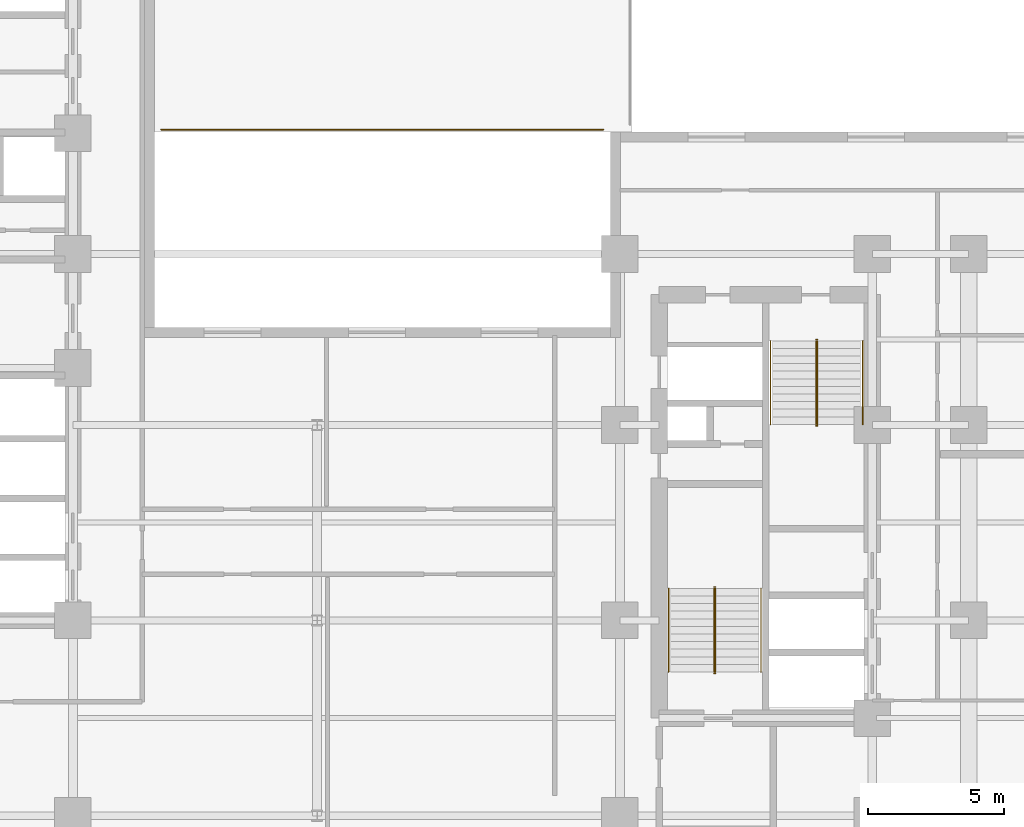
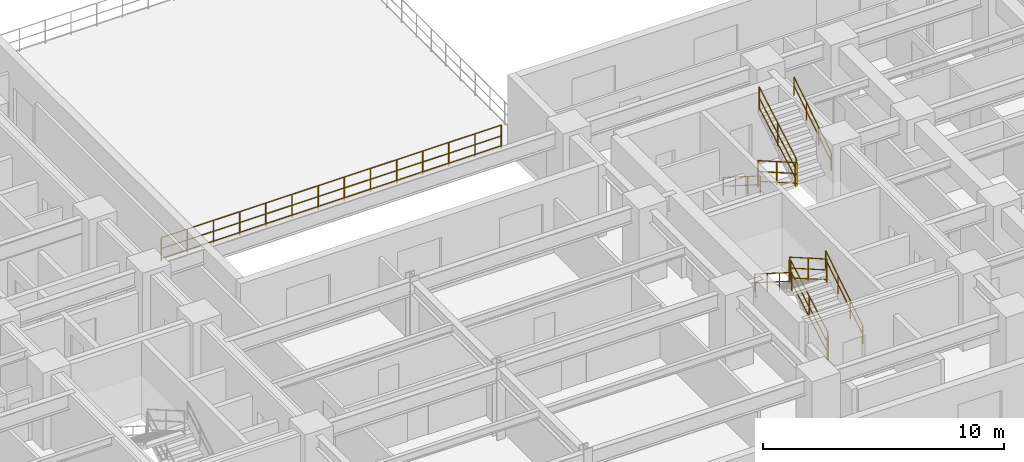
# One storey, part 8 of 10: 13 railings.
"""IFC4 building model written with IfcOpenShell, lengths in metres."""

from ifc_helpers import new_model, entity, si_unit, converted_unit, direction, frame, origin_with_axes, origin_2d_with_axis, place, context, subcontext, project, spatial, rectangle, circle, extrude, material, type_object, element, save


model = new_model("IFC4")

# Units and contexts
model_context = context("Model", 3, precision=1e-05, world=origin_with_axes(), true_north=direction((0.0, 1.0)))
body_context = subcontext(model_context, "Body", "Model", "MODEL_VIEW")
ifc_project = project(units=[si_unit("LENGTHUNIT", "METRE"), si_unit("AREAUNIT", "SQUARE_METRE"), si_unit("VOLUMEUNIT", "CUBIC_METRE"), converted_unit("PLANEANGLEUNIT", "DEGREE", entity("IfcPlaneAngleMeasure", 0.017453292519943295), si_unit("PLANEANGLEUNIT", "RADIAN"), dimensions=[0, 0, 0, 0, 0, 0, 0]), si_unit("MASSUNIT", "GRAM", prefix="KILO"), si_unit("THERMODYNAMICTEMPERATUREUNIT", "KELVIN")], contexts=[model_context])

# Site, building, storey
site_placement = place(None, origin_with_axes())
site = spatial("IfcSite", under=ifc_project, at=site_placement, CompositionType="ELEMENT")
building_placement = place(site_placement, origin_with_axes())
building = spatial("IfcBuilding", under=site, at=building_placement, Name="Varnlund Millrace Tower", CompositionType="ELEMENT")
storey_placement = place(building_placement, frame((0.0, 0.0, 28.8), z_axis=(0.0, 0.0, 1.0), x_axis=(1.0, 0.0, 0.0)))
storey = spatial("IfcBuildingStorey", under=building, at=storey_placement, Name="L06", CompositionType="ELEMENT", Elevation=28.8)

# Railings
ifc_material_1 = material(Name="Architectural bronze balustrade guard", Category="aluminium")
railing_type_1 = type_object("IfcRailingType", Name="Type-Guard-Perimeter-1150", PredefinedType="BALUSTRADE", material=ifc_material_1)
railing_1_placement = place(storey_placement, frame((0.0, 0.0, -28.8), z_axis=(0.0, 0.0, 1.0), x_axis=(1.0, 0.0, 0.0)))
element("IfcRailing", 1, at=railing_1_placement, inside=storey, type_object=railing_type_1, Name="Type-Guard-Perimeter-1150", PredefinedType="BALUSTRADE", context=body_context, shape_type="SweptSolid", body=[
    extrude(circle(Radius=0.024, at=origin_2d_with_axis()), frame((21.85, 28.88, 29.95), z_axis=(1.0, 0.0, 0.0), x_axis=(0.0, 1.0, 0.0)), (0.0, 0.0, 1.0), 16.3),
    extrude(circle(Radius=0.024, at=origin_2d_with_axis()), frame((21.85, 28.88, 28.9), z_axis=(1.0, 0.0, 0.0), x_axis=(0.0, 1.0, 0.0)), (0.0, 0.0, 1.0), 16.3),
    extrude(circle(Radius=0.024, at=origin_2d_with_axis()), frame((21.85, 28.88, 29.398), z_axis=(1.0, 0.0, 0.0), x_axis=(0.0, 1.0, 0.0)), (0.0, 0.0, 1.0), 16.3),
    extrude(rectangle(XDim=0.04, YDim=0.04, at=origin_2d_with_axis()), frame((21.85, 28.88, 28.76), z_axis=(0.0, 0.0, 1.0), x_axis=(1.0, 0.0, 0.0)), (0.0, 0.0, 1.0), 1.19),
    extrude(rectangle(XDim=0.04, YDim=0.04, at=origin_2d_with_axis()), frame((23.103846, 28.88, 28.76), z_axis=(0.0, 0.0, 1.0), x_axis=(1.0, 0.0, 0.0)), (0.0, 0.0, 1.0), 1.19),
    extrude(rectangle(XDim=0.04, YDim=0.04, at=origin_2d_with_axis()), frame((24.357692, 28.88, 28.76), z_axis=(0.0, 0.0, 1.0), x_axis=(1.0, 0.0, 0.0)), (0.0, 0.0, 1.0), 1.19),
    extrude(rectangle(XDim=0.04, YDim=0.04, at=origin_2d_with_axis()), frame((25.611538, 28.88, 28.76), z_axis=(0.0, 0.0, 1.0), x_axis=(1.0, 0.0, 0.0)), (0.0, 0.0, 1.0), 1.19),
    extrude(rectangle(XDim=0.04, YDim=0.04, at=origin_2d_with_axis()), frame((26.865385, 28.88, 28.76), z_axis=(0.0, 0.0, 1.0), x_axis=(1.0, 0.0, 0.0)), (0.0, 0.0, 1.0), 1.19),
    extrude(rectangle(XDim=0.04, YDim=0.04, at=origin_2d_with_axis()), frame((28.119231, 28.88, 28.76), z_axis=(0.0, 0.0, 1.0), x_axis=(1.0, 0.0, 0.0)), (0.0, 0.0, 1.0), 1.19),
    extrude(rectangle(XDim=0.04, YDim=0.04, at=origin_2d_with_axis()), frame((29.373077, 28.88, 28.76), z_axis=(0.0, 0.0, 1.0), x_axis=(1.0, 0.0, 0.0)), (0.0, 0.0, 1.0), 1.19),
    extrude(rectangle(XDim=0.04, YDim=0.04, at=origin_2d_with_axis()), frame((30.626923, 28.88, 28.76), z_axis=(0.0, 0.0, 1.0), x_axis=(1.0, 0.0, 0.0)), (0.0, 0.0, 1.0), 1.19),
    extrude(rectangle(XDim=0.04, YDim=0.04, at=origin_2d_with_axis()), frame((31.880769, 28.88, 28.76), z_axis=(0.0, 0.0, 1.0), x_axis=(1.0, 0.0, 0.0)), (0.0, 0.0, 1.0), 1.19),
    extrude(rectangle(XDim=0.04, YDim=0.04, at=origin_2d_with_axis()), frame((33.134615, 28.88, 28.76), z_axis=(0.0, 0.0, 1.0), x_axis=(1.0, 0.0, 0.0)), (0.0, 0.0, 1.0), 1.19),
    extrude(rectangle(XDim=0.04, YDim=0.04, at=origin_2d_with_axis()), frame((34.388462, 28.88, 28.76), z_axis=(0.0, 0.0, 1.0), x_axis=(1.0, 0.0, 0.0)), (0.0, 0.0, 1.0), 1.19),
    extrude(rectangle(XDim=0.04, YDim=0.04, at=origin_2d_with_axis()), frame((35.642308, 28.88, 28.76), z_axis=(0.0, 0.0, 1.0), x_axis=(1.0, 0.0, 0.0)), (0.0, 0.0, 1.0), 1.19),
    extrude(rectangle(XDim=0.04, YDim=0.04, at=origin_2d_with_axis()), frame((36.896154, 28.88, 28.76), z_axis=(0.0, 0.0, 1.0), x_axis=(1.0, 0.0, 0.0)), (0.0, 0.0, 1.0), 1.19),
    extrude(rectangle(XDim=0.04, YDim=0.04, at=origin_2d_with_axis()), frame((38.15, 28.88, 28.76), z_axis=(0.0, 0.0, 1.0), x_axis=(1.0, 0.0, 0.0)), (0.0, 0.0, 1.0), 1.19),
])
ifc_material_2 = material(Name="Painted steel stair well balustrade guard", Category="steel")
railing_type_2 = type_object("IfcRailingType", Name="Type-StairGuard-1150", PredefinedType="GUARDRAIL", material=ifc_material_2)
railing_2_placement = place(storey_placement, frame((0.0, 0.0, -28.8), z_axis=(0.0, 0.0, 1.0), x_axis=(1.0, 0.0, 0.0)))
element("IfcRailing", 2, at=railing_2_placement, inside=storey, type_object=railing_type_2, Name="Type-StairGuard-1150", PredefinedType="GUARDRAIL", context=body_context, shape_type="SweptSolid", body=[
    extrude(circle(Radius=0.024, at=origin_2d_with_axis()), frame((42.275, 8.9, 30.127273), z_axis=(0.0, 0.866696, 0.498836), x_axis=(-1.0, 0.0, 0.0)), (0.0, 0.0, 1.0), 3.553725),
    extrude(circle(Radius=0.024, at=origin_2d_with_axis()), frame((42.275, 8.9, 29.077273), z_axis=(0.0, 0.866696, 0.498836), x_axis=(-1.0, 0.0, 0.0)), (0.0, 0.0, 1.0), 3.553725),
    extrude(circle(Radius=0.024, at=origin_2d_with_axis()), frame((42.275, 8.9, 29.575273), z_axis=(0.0, 0.866696, 0.498836), x_axis=(-1.0, 0.0, 0.0)), (0.0, 0.0, 1.0), 3.553725),
    extrude(rectangle(XDim=0.04, YDim=0.04, at=origin_2d_with_axis()), frame((42.275, 8.9, 28.937273), z_axis=(0.0, 0.0, 1.0), x_axis=(1.0, 0.0, 0.0)), (0.0, 0.0, 1.0), 1.19),
    extrude(rectangle(XDim=0.04, YDim=0.04, at=origin_2d_with_axis()), frame((42.275, 10.44, 29.823636), z_axis=(0.0, 0.0, 1.0), x_axis=(1.0, 0.0, 0.0)), (0.0, 0.0, 1.0), 1.19),
    extrude(rectangle(XDim=0.04, YDim=0.04, at=origin_2d_with_axis()), frame((42.275, 11.98, 30.71), z_axis=(0.0, 0.0, 1.0), x_axis=(1.0, 0.0, 0.0)), (0.0, 0.0, 1.0), 1.19),
])
railing_3_placement = place(storey_placement, frame((0.0, 0.0, -28.8), z_axis=(0.0, 0.0, 1.0), x_axis=(1.0, 0.0, 0.0)))
element("IfcRailing", 3, at=railing_3_placement, inside=storey, type_object=railing_type_2, Name="Type-StairGuard-1150", PredefinedType="GUARDRAIL", context=body_context, shape_type="SweptSolid", body=[
    extrude(circle(Radius=0.024, at=origin_2d_with_axis()), frame((42.225, 12.03, 31.9), z_axis=(1.0, 0.0, 0.0), x_axis=(0.0, 1.0, 0.0)), (0.0, 0.0, 1.0), 0.05),
    extrude(circle(Radius=0.024, at=origin_2d_with_axis()), frame((42.225, 12.03, 30.85), z_axis=(1.0, 0.0, 0.0), x_axis=(0.0, 1.0, 0.0)), (0.0, 0.0, 1.0), 0.05),
    extrude(circle(Radius=0.024, at=origin_2d_with_axis()), frame((42.225, 12.03, 31.348), z_axis=(1.0, 0.0, 0.0), x_axis=(0.0, 1.0, 0.0)), (0.0, 0.0, 1.0), 0.05),
    extrude(rectangle(XDim=0.04, YDim=0.04, at=origin_2d_with_axis()), frame((42.225, 12.03, 30.71), z_axis=(0.0, 0.0, 1.0), x_axis=(1.0, 0.0, 0.0)), (0.0, 0.0, 1.0), 1.19),
    extrude(rectangle(XDim=0.04, YDim=0.04, at=origin_2d_with_axis()), frame((42.275, 12.03, 30.71), z_axis=(0.0, 0.0, 1.0), x_axis=(1.0, 0.0, 0.0)), (0.0, 0.0, 1.0), 1.19),
])
railing_4_placement = place(storey_placement, frame((0.0, 0.0, -28.8), z_axis=(0.0, 0.0, 1.0), x_axis=(1.0, 0.0, 0.0)))
element("IfcRailing", 4, at=railing_4_placement, inside=storey, type_object=railing_type_2, Name="Type-StairGuard-1150", PredefinedType="GUARDRAIL", context=body_context, shape_type="SweptSolid", body=[
    extrude(circle(Radius=0.024, at=origin_2d_with_axis()), frame((42.225, 11.98, 32.077273), z_axis=(0.0, -0.866696, 0.498836), x_axis=(1.0, 0.0, 0.0)), (0.0, 0.0, 1.0), 3.553725),
    extrude(circle(Radius=0.024, at=origin_2d_with_axis()), frame((42.225, 11.98, 31.027273), z_axis=(0.0, -0.866696, 0.498836), x_axis=(1.0, 0.0, 0.0)), (0.0, 0.0, 1.0), 3.553725),
    extrude(circle(Radius=0.024, at=origin_2d_with_axis()), frame((42.225, 11.98, 31.525273), z_axis=(0.0, -0.866696, 0.498836), x_axis=(1.0, 0.0, 0.0)), (0.0, 0.0, 1.0), 3.553725),
    extrude(rectangle(XDim=0.04, YDim=0.04, at=origin_2d_with_axis()), frame((42.225, 11.98, 30.887273), z_axis=(0.0, 0.0, 1.0), x_axis=(1.0, 0.0, 0.0)), (0.0, 0.0, 1.0), 1.19),
    extrude(rectangle(XDim=0.04, YDim=0.04, at=origin_2d_with_axis()), frame((42.225, 10.44, 31.773637), z_axis=(0.0, 0.0, 1.0), x_axis=(1.0, 0.0, 0.0)), (0.0, 0.0, 1.0), 1.19),
    extrude(rectangle(XDim=0.04, YDim=0.04, at=origin_2d_with_axis()), frame((42.225, 8.9, 32.66), z_axis=(0.0, 0.0, 1.0), x_axis=(1.0, 0.0, 0.0)), (0.0, 0.0, 1.0), 1.19),
])
railing_5_placement = place(storey_placement, frame((0.0, 0.0, -28.8), z_axis=(0.0, 0.0, 1.0), x_axis=(1.0, 0.0, 0.0)))
element("IfcRailing", 5, at=railing_5_placement, inside=storey, type_object=railing_type_2, Name="Type-StairGuard-1150", PredefinedType="GUARDRAIL", context=body_context, shape_type="SweptSolid", body=[
    extrude(circle(Radius=0.024, at=origin_2d_with_axis()), frame((42.225, 8.85, 29.95), z_axis=(1.0, 0.0, 0.0), x_axis=(0.0, 1.0, 0.0)), (0.0, 0.0, 1.0), 0.05),
    extrude(circle(Radius=0.024, at=origin_2d_with_axis()), frame((42.225, 8.85, 28.9), z_axis=(1.0, 0.0, 0.0), x_axis=(0.0, 1.0, 0.0)), (0.0, 0.0, 1.0), 0.05),
    extrude(circle(Radius=0.024, at=origin_2d_with_axis()), frame((42.225, 8.85, 29.398), z_axis=(1.0, 0.0, 0.0), x_axis=(0.0, 1.0, 0.0)), (0.0, 0.0, 1.0), 0.05),
    extrude(rectangle(XDim=0.04, YDim=0.04, at=origin_2d_with_axis()), frame((42.225, 8.85, 28.76), z_axis=(0.0, 0.0, 1.0), x_axis=(1.0, 0.0, 0.0)), (0.0, 0.0, 1.0), 1.19),
    extrude(rectangle(XDim=0.04, YDim=0.04, at=origin_2d_with_axis()), frame((42.275, 8.85, 28.76), z_axis=(0.0, 0.0, 1.0), x_axis=(1.0, 0.0, 0.0)), (0.0, 0.0, 1.0), 1.19),
])
railing_6_placement = place(storey_placement, frame((0.0, 0.0, -28.8), z_axis=(0.0, 0.0, 1.0), x_axis=(1.0, 0.0, 0.0)))
element("IfcRailing", 6, at=railing_6_placement, inside=storey, type_object=railing_type_2, Name="Type-StairGuard-1150", PredefinedType="GUARDRAIL", context=body_context, shape_type="SweptSolid", body=[
    extrude(circle(Radius=0.024, at=origin_2d_with_axis()), frame((45.975, 21.1, 30.127273), z_axis=(0.0, -0.866696, 0.498836), x_axis=(1.0, 0.0, 0.0)), (0.0, 0.0, 1.0), 3.553725),
    extrude(circle(Radius=0.024, at=origin_2d_with_axis()), frame((45.975, 21.1, 29.077273), z_axis=(0.0, -0.866696, 0.498836), x_axis=(1.0, 0.0, 0.0)), (0.0, 0.0, 1.0), 3.553725),
    extrude(circle(Radius=0.024, at=origin_2d_with_axis()), frame((45.975, 21.1, 29.575273), z_axis=(0.0, -0.866696, 0.498836), x_axis=(1.0, 0.0, 0.0)), (0.0, 0.0, 1.0), 3.553725),
    extrude(rectangle(XDim=0.04, YDim=0.04, at=origin_2d_with_axis()), frame((45.975, 21.1, 28.937273), z_axis=(0.0, 0.0, 1.0), x_axis=(1.0, 0.0, 0.0)), (0.0, 0.0, 1.0), 1.19),
    extrude(rectangle(XDim=0.04, YDim=0.04, at=origin_2d_with_axis()), frame((45.975, 19.56, 29.823636), z_axis=(0.0, 0.0, 1.0), x_axis=(1.0, 0.0, 0.0)), (0.0, 0.0, 1.0), 1.19),
    extrude(rectangle(XDim=0.04, YDim=0.04, at=origin_2d_with_axis()), frame((45.975, 18.02, 30.71), z_axis=(0.0, 0.0, 1.0), x_axis=(1.0, 0.0, 0.0)), (0.0, 0.0, 1.0), 1.19),
])
railing_7_placement = place(storey_placement, frame((0.0, 0.0, -28.8), z_axis=(0.0, 0.0, 1.0), x_axis=(1.0, 0.0, 0.0)))
element("IfcRailing", 7, at=railing_7_placement, inside=storey, type_object=railing_type_2, Name="Type-StairGuard-1150", PredefinedType="GUARDRAIL", context=body_context, shape_type="SweptSolid", body=[
    extrude(circle(Radius=0.024, at=origin_2d_with_axis()), frame((46.025, 17.97, 31.9), z_axis=(-1.0, 0.0, 0.0), x_axis=(0.0, -1.0, 0.0)), (0.0, 0.0, 1.0), 0.05),
    extrude(circle(Radius=0.024, at=origin_2d_with_axis()), frame((46.025, 17.97, 30.85), z_axis=(-1.0, 0.0, 0.0), x_axis=(0.0, -1.0, 0.0)), (0.0, 0.0, 1.0), 0.05),
    extrude(circle(Radius=0.024, at=origin_2d_with_axis()), frame((46.025, 17.97, 31.348), z_axis=(-1.0, 0.0, 0.0), x_axis=(0.0, -1.0, 0.0)), (0.0, 0.0, 1.0), 0.05),
    extrude(rectangle(XDim=0.04, YDim=0.04, at=origin_2d_with_axis()), frame((46.025, 17.97, 30.71), z_axis=(0.0, 0.0, 1.0), x_axis=(1.0, 0.0, 0.0)), (0.0, 0.0, 1.0), 1.19),
    extrude(rectangle(XDim=0.04, YDim=0.04, at=origin_2d_with_axis()), frame((45.975, 17.97, 30.71), z_axis=(0.0, 0.0, 1.0), x_axis=(1.0, 0.0, 0.0)), (0.0, 0.0, 1.0), 1.19),
])
railing_8_placement = place(storey_placement, frame((0.0, 0.0, -28.8), z_axis=(0.0, 0.0, 1.0), x_axis=(1.0, 0.0, 0.0)))
element("IfcRailing", 8, at=railing_8_placement, inside=storey, type_object=railing_type_2, Name="Type-StairGuard-1150", PredefinedType="GUARDRAIL", context=body_context, shape_type="SweptSolid", body=[
    extrude(circle(Radius=0.024, at=origin_2d_with_axis()), frame((46.025, 18.02, 32.077273), z_axis=(0.0, 0.866696, 0.498836), x_axis=(-1.0, 0.0, 0.0)), (0.0, 0.0, 1.0), 3.553725),
    extrude(circle(Radius=0.024, at=origin_2d_with_axis()), frame((46.025, 18.02, 31.027273), z_axis=(0.0, 0.866696, 0.498836), x_axis=(-1.0, 0.0, 0.0)), (0.0, 0.0, 1.0), 3.553725),
    extrude(circle(Radius=0.024, at=origin_2d_with_axis()), frame((46.025, 18.02, 31.525273), z_axis=(0.0, 0.866696, 0.498836), x_axis=(-1.0, 0.0, 0.0)), (0.0, 0.0, 1.0), 3.553725),
    extrude(rectangle(XDim=0.04, YDim=0.04, at=origin_2d_with_axis()), frame((46.025, 18.02, 30.887273), z_axis=(0.0, 0.0, 1.0), x_axis=(1.0, 0.0, 0.0)), (0.0, 0.0, 1.0), 1.19),
    extrude(rectangle(XDim=0.04, YDim=0.04, at=origin_2d_with_axis()), frame((46.025, 19.56, 31.773637), z_axis=(0.0, 0.0, 1.0), x_axis=(1.0, 0.0, 0.0)), (0.0, 0.0, 1.0), 1.19),
    extrude(rectangle(XDim=0.04, YDim=0.04, at=origin_2d_with_axis()), frame((46.025, 21.1, 32.66), z_axis=(0.0, 0.0, 1.0), x_axis=(1.0, 0.0, 0.0)), (0.0, 0.0, 1.0), 1.19),
])
railing_9_placement = place(storey_placement, frame((0.0, 0.0, -28.8), z_axis=(0.0, 0.0, 1.0), x_axis=(1.0, 0.0, 0.0)))
element("IfcRailing", 9, at=railing_9_placement, inside=storey, type_object=railing_type_2, Name="Type-StairGuard-1150", PredefinedType="GUARDRAIL", context=body_context, shape_type="SweptSolid", body=[
    extrude(circle(Radius=0.024, at=origin_2d_with_axis()), frame((46.025, 21.15, 29.95), z_axis=(-1.0, 0.0, 0.0), x_axis=(0.0, -1.0, 0.0)), (0.0, 0.0, 1.0), 0.05),
    extrude(circle(Radius=0.024, at=origin_2d_with_axis()), frame((46.025, 21.15, 28.9), z_axis=(-1.0, 0.0, 0.0), x_axis=(0.0, -1.0, 0.0)), (0.0, 0.0, 1.0), 0.05),
    extrude(circle(Radius=0.024, at=origin_2d_with_axis()), frame((46.025, 21.15, 29.398), z_axis=(-1.0, 0.0, 0.0), x_axis=(0.0, -1.0, 0.0)), (0.0, 0.0, 1.0), 0.05),
    extrude(rectangle(XDim=0.04, YDim=0.04, at=origin_2d_with_axis()), frame((46.025, 21.15, 28.76), z_axis=(0.0, 0.0, 1.0), x_axis=(1.0, 0.0, 0.0)), (0.0, 0.0, 1.0), 1.19),
    extrude(rectangle(XDim=0.04, YDim=0.04, at=origin_2d_with_axis()), frame((45.975, 21.15, 28.76), z_axis=(0.0, 0.0, 1.0), x_axis=(1.0, 0.0, 0.0)), (0.0, 0.0, 1.0), 1.19),
])
ifc_material_3 = material(Name="Brushed architectural bronze stair handrail", Category="aluminium")
railing_type_3 = type_object("IfcRailingType", Name="Type-StairHandrail-900", PredefinedType="HANDRAIL", material=ifc_material_3)
railing_10_placement = place(storey_placement, frame((0.0, 0.0, -28.8), z_axis=(0.0, 0.0, 1.0), x_axis=(1.0, 0.0, 0.0)))
element("IfcRailing", 10, at=railing_10_placement, inside=storey, type_object=railing_type_3, Name="Type-StairHandrail-900", PredefinedType="HANDRAIL", context=body_context, shape_type="SweptSolid", body=[
    extrude(circle(Radius=0.024, at=origin_2d_with_axis()), frame((43.95, 8.9, 29.856995), z_axis=(0.0, 0.844902, 0.534922), x_axis=(-1.0, 0.0, 0.0)), (0.0, 0.0, 1.0), 3.645394),
    extrude(circle(Radius=0.024, at=origin_2d_with_axis()), frame((43.95, 8.9, 29.417134), z_axis=(0.0, 0.844902, 0.534922), x_axis=(-1.0, 0.0, 0.0)), (0.0, 0.0, 1.0), 3.645394),
    extrude(rectangle(XDim=0.04, YDim=0.04, at=origin_2d_with_axis()), frame((43.95, 8.9, 28.937273), z_axis=(0.0, 0.0, 1.0), x_axis=(1.0, 0.0, 0.0)), (0.0, 0.0, 1.0), 0.919722),
    extrude(rectangle(XDim=0.04, YDim=0.04, at=origin_2d_with_axis()), frame((43.95, 9.926667, 29.587273), z_axis=(0.0, 0.0, 1.0), x_axis=(1.0, 0.0, 0.0)), (0.0, 0.0, 1.0), 0.919722),
    extrude(rectangle(XDim=0.04, YDim=0.04, at=origin_2d_with_axis()), frame((43.95, 10.953333, 30.237273), z_axis=(0.0, 0.0, 1.0), x_axis=(1.0, 0.0, 0.0)), (0.0, 0.0, 1.0), 0.919722),
    extrude(rectangle(XDim=0.04, YDim=0.04, at=origin_2d_with_axis()), frame((43.95, 11.98, 30.887273), z_axis=(0.0, 0.0, 1.0), x_axis=(1.0, 0.0, 0.0)), (0.0, 0.0, 1.0), 0.919722),
])
railing_11_placement = place(storey_placement, frame((0.0, 0.0, -28.8), z_axis=(0.0, 0.0, 1.0), x_axis=(1.0, 0.0, 0.0)))
element("IfcRailing", 11, at=railing_11_placement, inside=storey, type_object=railing_type_3, Name="Type-StairHandrail-900", PredefinedType="HANDRAIL", context=body_context, shape_type="SweptSolid", body=[
    extrude(circle(Radius=0.024, at=origin_2d_with_axis()), frame((40.55, 11.98, 31.806995), z_axis=(0.0, -0.844902, 0.534922), x_axis=(1.0, 0.0, 0.0)), (0.0, 0.0, 1.0), 3.645394),
    extrude(circle(Radius=0.024, at=origin_2d_with_axis()), frame((40.55, 11.98, 31.367134), z_axis=(0.0, -0.844902, 0.534922), x_axis=(1.0, 0.0, 0.0)), (0.0, 0.0, 1.0), 3.645394),
    extrude(rectangle(XDim=0.04, YDim=0.04, at=origin_2d_with_axis()), frame((40.55, 11.98, 30.887273), z_axis=(0.0, 0.0, 1.0), x_axis=(1.0, 0.0, 0.0)), (0.0, 0.0, 1.0), 0.919722),
    extrude(rectangle(XDim=0.04, YDim=0.04, at=origin_2d_with_axis()), frame((40.55, 10.953333, 31.537273), z_axis=(0.0, 0.0, 1.0), x_axis=(1.0, 0.0, 0.0)), (0.0, 0.0, 1.0), 0.919722),
    extrude(rectangle(XDim=0.04, YDim=0.04, at=origin_2d_with_axis()), frame((40.55, 9.926667, 32.187273), z_axis=(0.0, 0.0, 1.0), x_axis=(1.0, 0.0, 0.0)), (0.0, 0.0, 1.0), 0.919722),
    extrude(rectangle(XDim=0.04, YDim=0.04, at=origin_2d_with_axis()), frame((40.55, 8.9, 32.837273), z_axis=(0.0, 0.0, 1.0), x_axis=(1.0, 0.0, 0.0)), (0.0, 0.0, 1.0), 0.919722),
])
railing_12_placement = place(storey_placement, frame((0.0, 0.0, -28.8), z_axis=(0.0, 0.0, 1.0), x_axis=(1.0, 0.0, 0.0)))
element("IfcRailing", 12, at=railing_12_placement, inside=storey, type_object=railing_type_3, Name="Type-StairHandrail-900", PredefinedType="HANDRAIL", context=body_context, shape_type="SweptSolid", body=[
    extrude(circle(Radius=0.024, at=origin_2d_with_axis()), frame((44.3, 21.1, 29.856995), z_axis=(0.0, -0.844902, 0.534922), x_axis=(1.0, 0.0, 0.0)), (0.0, 0.0, 1.0), 3.645394),
    extrude(circle(Radius=0.024, at=origin_2d_with_axis()), frame((44.3, 21.1, 29.417134), z_axis=(0.0, -0.844902, 0.534922), x_axis=(1.0, 0.0, 0.0)), (0.0, 0.0, 1.0), 3.645394),
    extrude(rectangle(XDim=0.04, YDim=0.04, at=origin_2d_with_axis()), frame((44.3, 21.1, 28.937273), z_axis=(0.0, 0.0, 1.0), x_axis=(1.0, 0.0, 0.0)), (0.0, 0.0, 1.0), 0.919722),
    extrude(rectangle(XDim=0.04, YDim=0.04, at=origin_2d_with_axis()), frame((44.3, 20.073333, 29.587273), z_axis=(0.0, 0.0, 1.0), x_axis=(1.0, 0.0, 0.0)), (0.0, 0.0, 1.0), 0.919722),
    extrude(rectangle(XDim=0.04, YDim=0.04, at=origin_2d_with_axis()), frame((44.3, 19.046667, 30.237273), z_axis=(0.0, 0.0, 1.0), x_axis=(1.0, 0.0, 0.0)), (0.0, 0.0, 1.0), 0.919722),
    extrude(rectangle(XDim=0.04, YDim=0.04, at=origin_2d_with_axis()), frame((44.3, 18.02, 30.887273), z_axis=(0.0, 0.0, 1.0), x_axis=(1.0, 0.0, 0.0)), (0.0, 0.0, 1.0), 0.919722),
])
railing_13_placement = place(storey_placement, frame((0.0, 0.0, -28.8), z_axis=(0.0, 0.0, 1.0), x_axis=(1.0, 0.0, 0.0)))
element("IfcRailing", 13, at=railing_13_placement, inside=storey, type_object=railing_type_3, Name="Type-StairHandrail-900", PredefinedType="HANDRAIL", context=body_context, shape_type="SweptSolid", body=[
    extrude(circle(Radius=0.024, at=origin_2d_with_axis()), frame((47.7, 18.02, 31.806995), z_axis=(0.0, 0.844902, 0.534922), x_axis=(-1.0, 0.0, 0.0)), (0.0, 0.0, 1.0), 3.645394),
    extrude(circle(Radius=0.024, at=origin_2d_with_axis()), frame((47.7, 18.02, 31.367134), z_axis=(0.0, 0.844902, 0.534922), x_axis=(-1.0, 0.0, 0.0)), (0.0, 0.0, 1.0), 3.645394),
    extrude(rectangle(XDim=0.04, YDim=0.04, at=origin_2d_with_axis()), frame((47.7, 18.02, 30.887273), z_axis=(0.0, 0.0, 1.0), x_axis=(1.0, 0.0, 0.0)), (0.0, 0.0, 1.0), 0.919722),
    extrude(rectangle(XDim=0.04, YDim=0.04, at=origin_2d_with_axis()), frame((47.7, 19.046667, 31.537273), z_axis=(0.0, 0.0, 1.0), x_axis=(1.0, 0.0, 0.0)), (0.0, 0.0, 1.0), 0.919722),
    extrude(rectangle(XDim=0.04, YDim=0.04, at=origin_2d_with_axis()), frame((47.7, 20.073333, 32.187273), z_axis=(0.0, 0.0, 1.0), x_axis=(1.0, 0.0, 0.0)), (0.0, 0.0, 1.0), 0.919722),
    extrude(rectangle(XDim=0.04, YDim=0.04, at=origin_2d_with_axis()), frame((47.7, 21.1, 32.837273), z_axis=(0.0, 0.0, 1.0), x_axis=(1.0, 0.0, 0.0)), (0.0, 0.0, 1.0), 0.919722),
])

save(model, "model.ifc")
